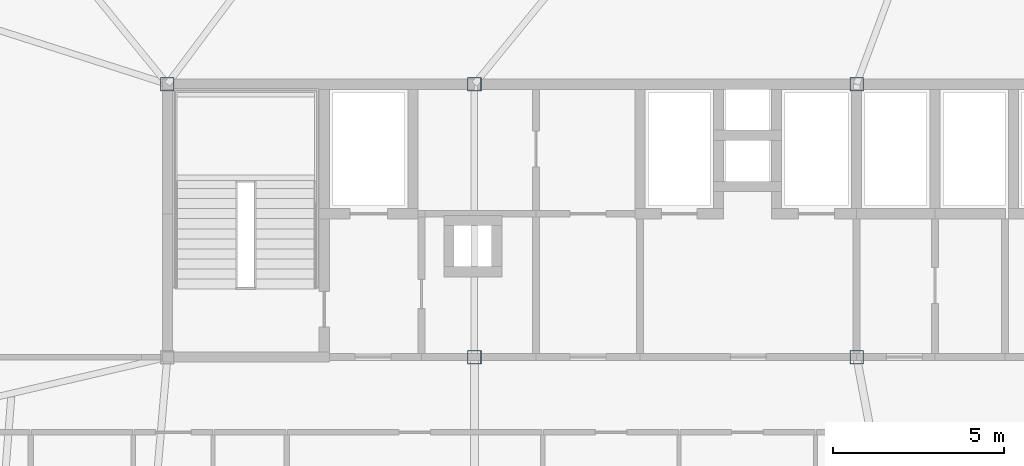
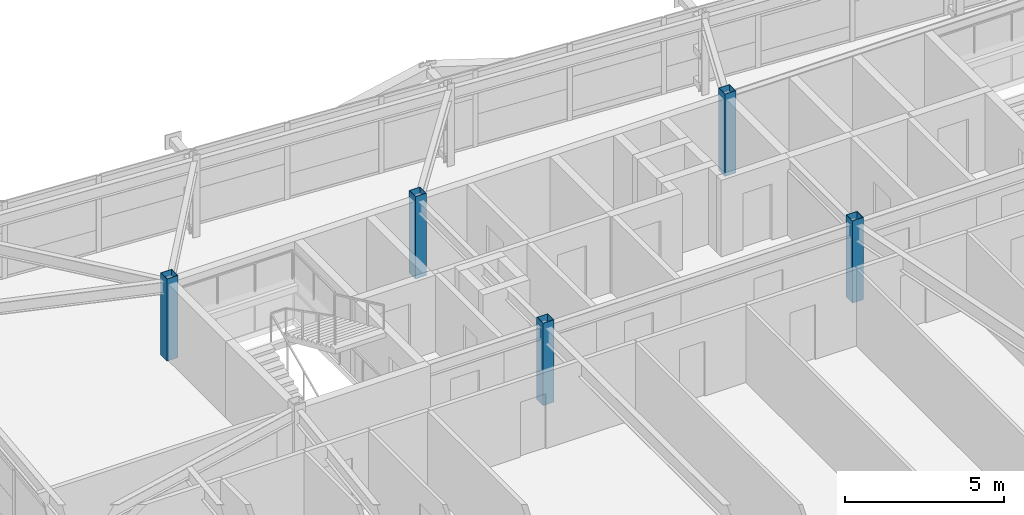
# One storey, part 2 of 47: 5 columns.
"""IFC4 building model written with IfcOpenShell, lengths in metres."""

import ifcopenshell
import ifcopenshell.guid

model = None  # the IFC model being written
_history = None  # IfcOwnerHistory: only IFC2X3 demands one
_inside = {}  # id of a spatial element -> (the spatial element, [elements in it])
_under = {}  # id of a project, library or spatial element -> (it, [spatial elements below it])
_declared = {}  # id of a project -> (the project, [libraries it declares])
_typed = {}  # id of a type object -> (the type object, [elements of that type])
_made_of = {}  # id of a material, layer set ... -> (it, [elements and type objects made of it])


def new_model(schema):
    """Start an empty IFC model of exactly this schema.

    Asked for "IFC4X3", IfcOpenShell would pick the latest addendum, in which some entities
    have other attributes; the version numbers below select the first issue.
    IFC2X3 requires an IfcOwnerHistory on every rooted entity: one is made here for all.
    """
    global model, _history
    if schema == "IFC4X3":
        model = ifcopenshell.file(schema_version=(4, 3, 0, 0))
    else:
        model = ifcopenshell.file(schema=schema)
    _inside.clear()
    _under.clear()
    _declared.clear()
    _typed.clear()
    _made_of.clear()
    _history = None
    if model.schema == "IFC2X3":
        org = make("IfcOrganization", Name="unknown")
        user = make(
            "IfcPersonAndOrganization",
            ThePerson=make("IfcPerson", FamilyName="unknown"),
            TheOrganization=org,
        )
        app = make(
            "IfcApplication",
            ApplicationDeveloper=org,
            Version="unknown",
            ApplicationFullName="unknown",
            ApplicationIdentifier="unknown",
        )
        _history = make(
            "IfcOwnerHistory",
            OwningUser=user,
            OwningApplication=app,
            ChangeAction="ADDED",
            CreationDate=0,
        )
    return model


def make(cls, **values):
    """One entity of the class cls with the attributes given. An attribute that is None is left unset."""
    return model.create_entity(
        cls, **{name: value for name, value in values.items() if value is not None}
    )


def rooted(cls, **values):
    """An entity with a GlobalId (a new one), such as an element, a storey or a relation."""
    return make(cls, GlobalId=ifcopenshell.guid.new(), OwnerHistory=_history, **values)


def si_unit(unit_type, name, prefix=None):
    """IfcSIUnit, for example si_unit("LENGTHUNIT", "METRE", prefix="MILLI")."""
    return make("IfcSIUnit", UnitType=unit_type, Prefix=prefix, Name=name)


def assignment(units):
    """IfcUnitAssignment: the units of a project."""
    return None if units is None else make("IfcUnitAssignment", Units=units)


def point(xyz):
    """IfcCartesianPoint."""
    return None if xyz is None else make("IfcCartesianPoint", Coordinates=xyz)


def direction(xyz):
    """IfcDirection."""
    return None if xyz is None else make("IfcDirection", DirectionRatios=xyz)


def frame(location, z_axis=None, x_axis=None):
    """IfcAxis2Placement3D, a coordinate frame: its origin and axes. An axis left out is left unset."""
    return make(
        "IfcAxis2Placement3D",
        Location=point(location),
        Axis=direction(z_axis),
        RefDirection=direction(x_axis),
    )


def frame_2d(location, x_axis=None):
    """IfcAxis2Placement2D, a coordinate frame in the plane: its origin and x axis."""
    return make(
        "IfcAxis2Placement2D", Location=point(location), RefDirection=direction(x_axis)
    )


def origin():
    """The frame at (0, 0, 0) with its axes left unset."""
    return frame((0.0, 0.0, 0.0))


def origin_2d():
    """The frame at (0, 0) in the plane with its x axis left unset."""
    return frame_2d((0.0, 0.0))


def place(relative_to, where):
    """IfcLocalPlacement: puts the frame where relative to a parent placement (None: the world)."""
    return make(
        "IfcLocalPlacement", PlacementRelTo=relative_to, RelativePlacement=where
    )


def context(
    kind, dimensions, precision=None, world=None, true_north=None, identifier=None
):
    """IfcGeometricRepresentationContext, for example the 3D "Model" context."""
    return make(
        "IfcGeometricRepresentationContext",
        ContextIdentifier=identifier,
        ContextType=kind,
        CoordinateSpaceDimension=dimensions,
        Precision=precision,
        WorldCoordinateSystem=world,
        TrueNorth=true_north,
    )


def subcontext(parent, identifier, kind, view, scale=None):
    """IfcGeometricRepresentationSubContext, for example "Body" below "Model"."""
    return make(
        "IfcGeometricRepresentationSubContext",
        ContextIdentifier=identifier,
        ContextType=kind,
        ParentContext=parent,
        TargetScale=scale,
        TargetView=view,
    )


def project(units=None, contexts=None):
    """IfcProject with its units and contexts."""
    return rooted(
        "IfcProject",
        Name="project",
        RepresentationContexts=contexts,
        UnitsInContext=assignment(units),
    )


def spatial(cls, under=None, at=None, **own):
    """A site, building, storey or space (cls), placed at a placement, below another one or the project."""
    s = rooted(cls, ObjectPlacement=at, **own)
    if under is not None:
        _under.setdefault(under.id(), (under, []))[1].append(s)
    return s


def profile(cls, at=None, kind="AREA", **sizes):
    """A parametric profile (cls). Its sizes go by their IFC names, for example OverallWidth=200.0."""
    return make(cls, ProfileType=kind, Position=at, **sizes)


def hollow_rectangle(**sizes):
    """IfcRectangleHollowProfileDef."""
    return profile("IfcRectangleHollowProfileDef", **sizes)


def extrude(swept, where, along, depth):
    """IfcExtrudedAreaSolid: the profile swept, set in the frame where, extruded along a direction by depth."""
    return make(
        "IfcExtrudedAreaSolid",
        SweptArea=swept,
        Position=where,
        ExtrudedDirection=direction(along),
        Depth=depth,
    )


def shape(context_of_items, identifier, shape_type, items):
    """IfcShapeRepresentation: the items that make up one representation, for example the "Body"."""
    return make(
        "IfcShapeRepresentation",
        ContextOfItems=context_of_items,
        RepresentationIdentifier=identifier,
        RepresentationType=shape_type,
        Items=items,
    )


def source(mapping_origin, context_of_items, identifier, shape_type, items):
    """IfcRepresentationMap: a shape defined once, which mapped items show again and again."""
    return make(
        "IfcRepresentationMap",
        MappingOrigin=mapping_origin,
        MappedRepresentation=shape(context_of_items, identifier, shape_type, items),
    )


def transform(
    local_origin,
    x_axis=None,
    y_axis=None,
    z_axis=None,
    scale=None,
    scale2=None,
    scale3=None,
    uniform=True,
):
    """IfcCartesianTransformationOperator3D, or its non-uniform kind. x_axis, y_axis, z_axis: its Axis1, 2, 3."""
    if uniform:
        return make(
            "IfcCartesianTransformationOperator3D",
            Axis1=direction(x_axis),
            Axis2=direction(y_axis),
            LocalOrigin=point(local_origin),
            Scale=scale,
            Axis3=direction(z_axis),
        )
    return make(
        "IfcCartesianTransformationOperator3DnonUniform",
        Axis1=direction(x_axis),
        Axis2=direction(y_axis),
        LocalOrigin=point(local_origin),
        Scale=scale,
        Axis3=direction(z_axis),
        Scale2=scale2,
        Scale3=scale3,
    )


def mapped(mapping_source, mapping_target):
    """IfcMappedItem: shows the shape of a source again, moved by a transform."""
    return make(
        "IfcMappedItem", MappingSource=mapping_source, MappingTarget=mapping_target
    )


def material(Name=None, Category=None):
    """IfcMaterial."""
    return make("IfcMaterial", Name=Name, Category=Category)


def material_profile(
    of_material, cross_section, Name=None, Category=None, Priority=None
):
    """IfcMaterialProfile: a cross section and its material."""
    return make(
        "IfcMaterialProfile",
        Name=Name,
        Material=of_material,
        Profile=cross_section,
        Priority=Priority,
        Category=Category,
    )


def profile_set(profiles, Name=None, composite=None):
    """IfcMaterialProfileSet."""
    return make(
        "IfcMaterialProfileSet",
        Name=Name,
        MaterialProfiles=profiles,
        CompositeProfile=composite,
    )


def made_of(thing, what):
    """Note that an element or type object is made of a material, layer set ...; save() writes the relation."""
    if what is not None:
        _made_of.setdefault(what.id(), (what, []))[1].append(thing)
    return thing


def type_object(cls, material=None, **own):
    """A type object (cls), such as IfcWallType, which elements share."""
    return made_of(rooted(cls, **own), material)


def element(
    cls,
    number,
    at=None,
    inside=None,
    cuts=None,
    type_object=None,
    material=None,
    context=None,
    identifier="Body",
    shape_type=None,
    held_by="IfcProductDefinitionShape",
    body=None,
    shapes=None,
    **own,
):
    """One element of the class cls, such as IfcWall. Its Tag is "e" and its number.

    at: its placement. inside: the storey or other place that contains it. cuts: it is an
    opening in that element (IfcRelVoidsElement). A single representation is given by context,
    identifier, shape_type and body (its items); several are given by shapes. held_by: the class
    of the entity that holds the representations. save() writes the other relations.
    """
    e = rooted(cls, Tag="e%d" % number, ObjectPlacement=at, **own)
    if body is not None:
        shapes = [shape(context, identifier, shape_type, body)]
    if shapes is not None:
        e.Representation = make(held_by, Representations=shapes)
    if inside is not None:
        _inside.setdefault(inside.id(), (inside, []))[1].append(e)
    if cuts is not None:
        rooted(
            "IfcRelVoidsElement", RelatingBuildingElement=cuts, RelatedOpeningElement=e
        )
    if type_object is not None:
        _typed.setdefault(type_object.id(), (type_object, []))[1].append(e)
    return made_of(e, material)


def aggregate(whole, parts):
    """IfcRelAggregates: a whole, such as a stair, and the parts it consists of."""
    return rooted("IfcRelAggregates", RelatingObject=whole, RelatedObjects=parts)


def save(model, path):
    """Write the relations noted so far, then the file.

    IfcRelAggregates (storeys below a building ...), IfcRelContainedInSpatialStructure (elements
    in a storey), IfcRelDefinesByType, IfcRelAssociatesMaterial and IfcRelDeclares: one each for
    every whole, place, type object, material and project.
    """
    for whole, parts in _under.values():
        aggregate(whole, parts)
    for where, things in _inside.values():
        rooted(
            "IfcRelContainedInSpatialStructure",
            RelatedElements=things,
            RelatingStructure=where,
        )
    for kind, things in _typed.values():
        rooted("IfcRelDefinesByType", RelatedObjects=things, RelatingType=kind)
    for what, things in _made_of.values():
        rooted("IfcRelAssociatesMaterial", RelatedObjects=things, RelatingMaterial=what)
    for by, libraries in _declared.values():
        rooted("IfcRelDeclares", RelatingContext=by, RelatedDefinitions=libraries)
    model.write(path)


model = new_model("IFC4")

# Units and contexts
model_context = context("Model", 3, precision=1e-05, world=origin(), true_north=direction((0.0, 1.0)))
body_context = subcontext(model_context, "Body", "Model", "MODEL_VIEW")
ifc_project = project(units=[si_unit("LENGTHUNIT", "METRE"), si_unit("AREAUNIT", "SQUARE_METRE"), si_unit("VOLUMEUNIT", "CUBIC_METRE"), si_unit("PLANEANGLEUNIT", "RADIAN"), si_unit("MASSUNIT", "GRAM", prefix="KILO")], contexts=[model_context])

# Site, building, storey
site_placement = place(None, origin())
site = spatial("IfcSite", under=ifc_project, at=site_placement, CompositionType="ELEMENT")
building_placement = place(site_placement, origin())
building = spatial("IfcBuilding", under=site, at=building_placement, Name="Taldren Reach Tower", CompositionType="ELEMENT")
storey_placement = place(building_placement, frame((0.0, 0.0, 142.449951171875)))
storey = spatial("IfcBuildingStorey", under=building, at=storey_placement, Name="L43", CompositionType="ELEMENT", Elevation=142.449951171875)

# Columns
ifc_material = material(Name="Steel Gr 450 (C450L0)", Category="steel")
ifc_material_profile = material_profile(ifc_material, hollow_rectangle(XDim=0.39990234375, YDim=0.39990234375, WallThickness=0.01611328125, at=origin_2d()), Name="400x400x16.0SHS")
ifc_profile_set = profile_set([ifc_material_profile], Name="Steel Gr 450 (C450L0)")
column_type = type_object("IfcColumnType", Name="COL-SHS400", PredefinedType="COLUMN", material=ifc_profile_set)
shared_shape = source(origin(), body_context, "Body", "SweptSolid", [
    extrude(hollow_rectangle(XDim=0.39990234375, YDim=0.39990234375, WallThickness=0.01611328125, at=origin_2d()), origin(), (0.0, 0.0, 1.0), 3.150146484375),
])
for number, where, z_axis, x_axis, name in (
    (1, (28.0, 24.0, 0.0), (0.0, 0.0, 1.0), (1.0, 0.0, 0.0), "Mega column MC-C2 L43"),
    (2, (39.199951171875, 24.0, 0.0), (0.0, 0.0, 1.0), (1.0, 0.0, 0.0), "Mega column MC-C3 L43"),
    (3, (19.0, 32.0, 0.0), (0.0, 0.0, 1.0), (1.0, 0.0, 0.0), "Mega column MC-C5 L43"),
    (4, (28.0, 32.0, 0.0), (0.0, 0.0, 1.0), (1.0, 0.0, 0.0), "Mega column MC-C6 L43"),
    (5, (39.199951171875, 32.0, 0.0), (0.0, 0.0, 1.0), (1.0, 0.0, 0.0), "Mega column MC-C7 L43"),
):
    element("IfcColumn", number, at=place(storey_placement, frame(where, z_axis=z_axis, x_axis=x_axis)), inside=storey, type_object=column_type, Name=name, PredefinedType="COLUMN", context=body_context, shape_type="MappedRepresentation", body=[
        mapped(shared_shape, transform((0.0, 0.0, 0.0), scale=1.0)),
    ])

save(model, "model.ifc")
